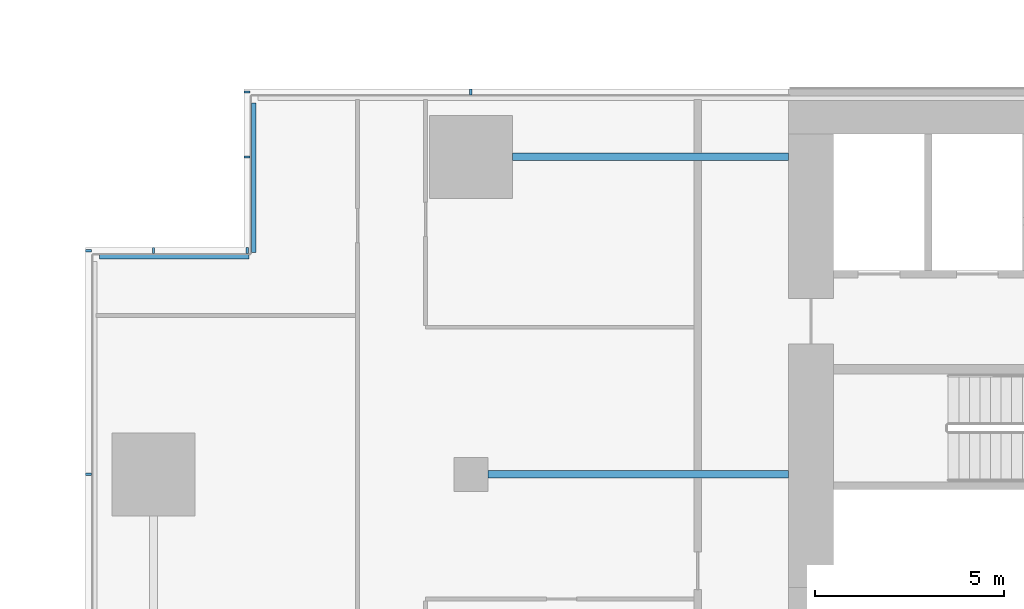
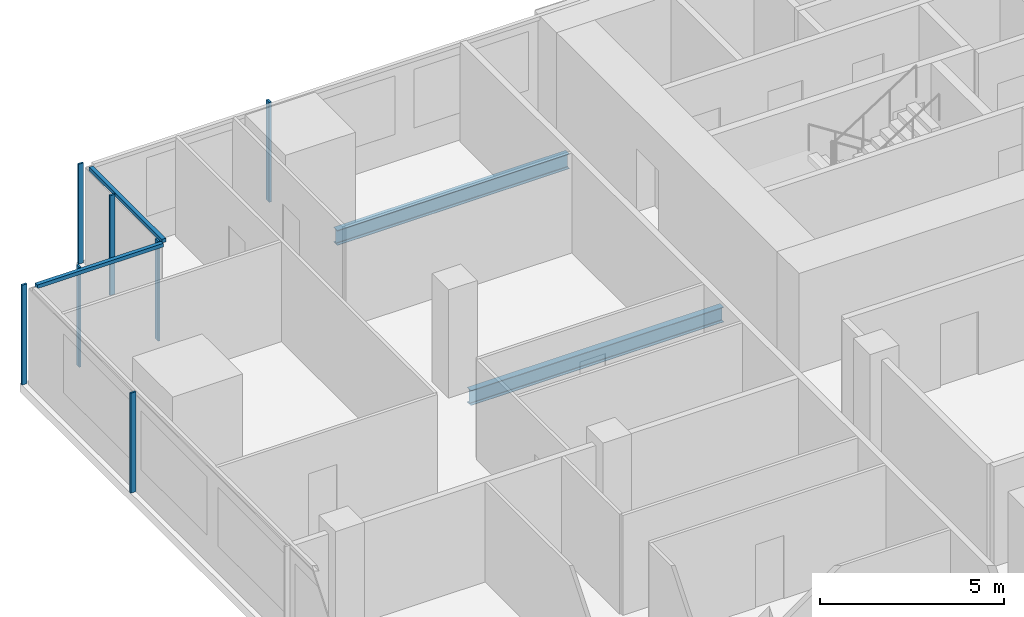
# One storey, part 8 of 29: 9 members, 2 beams, 4 elements without a shape of their own.
"""IFC4 building model written with IfcOpenShell, lengths in metres."""

from ifc_helpers import new_model, si_unit, direction, frame, origin, origin_2d, place, context, subcontext, project, spatial, rectangle, i_section, extrude, material, material_profile, profile_set, type_object, element, aggregate, save


model = new_model("IFC4")

# Units and contexts
model_context = context("Model", 3, precision=1e-05, world=origin(), true_north=direction((0.0, 1.0)))
body_context = subcontext(model_context, "Body", "Model", "MODEL_VIEW")
ifc_project = project(units=[si_unit("LENGTHUNIT", "METRE"), si_unit("AREAUNIT", "SQUARE_METRE"), si_unit("VOLUMEUNIT", "CUBIC_METRE"), si_unit("PLANEANGLEUNIT", "RADIAN"), si_unit("MASSUNIT", "GRAM", prefix="KILO")], contexts=[model_context])

# Site, building, storey
site_placement = place(None, origin())
site = spatial("IfcSite", under=ifc_project, at=site_placement, CompositionType="ELEMENT")
building_placement = place(site_placement, origin())
building = spatial("IfcBuilding", under=site, at=building_placement, Name="Saffron Gate Tower", CompositionType="ELEMENT")
storey_placement = place(building_placement, frame((0.0, 0.0, 58.800048828125)))
storey = spatial("IfcBuildingStorey", under=building, at=storey_placement, Name="L13", CompositionType="ELEMENT", Elevation=58.800048828125)

# Beams
ifc_material_1 = material(Name="Structural steel S355", Category="steel")
ifc_material_profile_1 = material_profile(ifc_material_1, i_section(OverallWidth=0.199951171875, OverallDepth=0.5, WebThickness=0.01025390625, FlangeThickness=0.01611328125, FilletRadius=0.02099609375, at=origin_2d()))
ifc_profile_set_1 = profile_set([ifc_material_profile_1], Name="Structural steel S355")
beam_type = type_object("IfcBeamType", Name="B10 IPE 500", PredefinedType="BEAM", material=ifc_profile_set_1)
beam_1_placement = place(storey_placement, frame((58.64990234375, 65.39990234375, -0.530029296875), z_axis=(1.0, 0.0, 0.0), x_axis=(0.0, 1.0, 0.0)))
element("IfcBeam", 1, at=beam_1_placement, inside=storey, type_object=beam_type, Name="B10 CORE TIE BEAM", PredefinedType="BEAM", context=body_context, shape_type="SweptSolid", body=[
    extrude(i_section(OverallWidth=0.199951171875, OverallDepth=0.5, WebThickness=0.01025390625, FlangeThickness=0.01611328125, FilletRadius=0.02099609375, at=origin_2d()), origin(), (0.0, 0.0, 1.0), 7.9501953125),
])
beam_2_placement = place(storey_placement, frame((59.300048828125, 73.800048828125, -0.530029296875), z_axis=(1.0, 0.0, 0.0), x_axis=(0.0, 1.0, 0.0)))
element("IfcBeam", 2, at=beam_2_placement, inside=storey, type_object=beam_type, Name="B10 CORE TIE BEAM", PredefinedType="BEAM", context=body_context, shape_type="SweptSolid", body=[
    extrude(i_section(OverallWidth=0.199951171875, OverallDepth=0.5, WebThickness=0.01025390625, FlangeThickness=0.01611328125, FilletRadius=0.02099609375, at=origin_2d()), origin(), (0.0, 0.0, 1.0), 7.300048828125),
])

# Curtain wall, members
ifc_material_2 = material(Name="Aluminium, bronze anodised", Category="aluminium")
curtain_wall_type_1 = type_object("IfcCurtainWallType", Name="CWS2 curtain wall side facades", PredefinedType="NOTDEFINED", material=ifc_material_2)
curtain_wall_1_placement = place(storey_placement, origin())
curtain_wall_1 = element("IfcCurtainWall", 3, at=curtain_wall_1_placement, inside=storey, type_object=curtain_wall_type_1, Name="CWS2 run 10", PredefinedType="NOTDEFINED")
ifc_material_profile_2 = material_profile(ifc_material_2, rectangle(XDim=0.159912109375, YDim=0.06005859375, at=origin_2d()))
ifc_profile_set_2 = profile_set([ifc_material_profile_2], Name="Aluminium, bronze anodised")
member_type_1 = type_object("IfcMemberType", Name="CWS2 mullion 60x160", PredefinedType="MULLION", material=ifc_profile_set_2)
member_1_placement = place(storey_placement, frame((48.080078125, 71.320068359375, 0.0), z_axis=(0.0, 0.0, 1.0), x_axis=(1.0, 0.0, 0.0)))
member_1 = element("IfcMember", 4, at=member_1_placement, type_object=member_type_1, Name="CWS2 mullion 1", PredefinedType="MULLION", context=body_context, shape_type="SweptSolid", body=[
    extrude(rectangle(XDim=0.159912109375, YDim=0.06005859375, at=origin_2d()), origin(), (0.0, 0.0, 1.0), 3.320068359375),
])
member_2_placement = place(storey_placement, frame((48.080078125, 65.39990234375, 0.0), z_axis=(0.0, 0.0, 1.0), x_axis=(1.0, 0.0, 0.0)))
member_2 = element("IfcMember", 5, at=member_2_placement, type_object=member_type_1, Name="CWS2 mullion 2", PredefinedType="MULLION", context=body_context, shape_type="SweptSolid", body=[
    extrude(rectangle(XDim=0.159912109375, YDim=0.06005859375, at=origin_2d()), origin(), (0.0, 0.0, 1.0), 3.320068359375),
])
aggregate(curtain_wall_1, [member_1, member_2])

# Curtain wall, member
curtain_wall_type_2 = type_object("IfcCurtainWallType", Name="CWS3 curtain wall rear facade", PredefinedType="NOTDEFINED", material=ifc_material_2)
curtain_wall_2_placement = place(storey_placement, origin())
curtain_wall_2 = element("IfcCurtainWall", 6, at=curtain_wall_2_placement, inside=storey, type_object=curtain_wall_type_2, Name="CWS3 run 7", PredefinedType="NOTDEFINED")
ifc_material_profile_3 = material_profile(ifc_material_2, rectangle(XDim=0.159912109375, YDim=0.070068359375, at=origin_2d()))
ifc_profile_set_3 = profile_set([ifc_material_profile_3], Name="Aluminium, bronze anodised")
member_type_2 = type_object("IfcMemberType", Name="CWS3 mullion 70x160", PredefinedType="MULLION", material=ifc_profile_set_3)
member_3_placement = place(storey_placement, frame((58.199951171875, 75.52001953125, 0.0), z_axis=(0.0, 0.0, 1.0), x_axis=(0.0, -1.0, 0.0)))
member_3 = element("IfcMember", 7, at=member_3_placement, type_object=member_type_2, Name="CWS3 mullion 9", PredefinedType="MULLION", context=body_context, shape_type="SweptSolid", body=[
    extrude(rectangle(XDim=0.159912109375, YDim=0.070068359375, at=origin_2d()), origin(), (0.0, 0.0, 1.0), 3.320068359375),
])
aggregate(curtain_wall_2, [member_3])

curtain_wall_type_3 = type_object("IfcCurtainWallType", Name="CWS4 curtain wall corner returns", PredefinedType="NOTDEFINED", material=ifc_material_2)
curtain_wall_3_placement = place(storey_placement, origin())
curtain_wall_3 = element("IfcCurtainWall", 8, at=curtain_wall_3_placement, inside=storey, type_object=curtain_wall_type_3, Name="CWS4 run 8", PredefinedType="NOTDEFINED")
ifc_material_profile_4 = material_profile(ifc_material_2, rectangle(XDim=0.1201171875, YDim=0.1201171875, at=origin_2d()))
ifc_profile_set_4 = profile_set([ifc_material_profile_4], Name="Aluminium, bronze anodised")
member_type_3 = type_object("IfcMemberType", Name="CWS4 head transom", PredefinedType="USERDEFINED", material=ifc_profile_set_4)
member_4_placement = place(storey_placement, frame((52.447998046875, 75.23193359375, 3.260009765625), z_axis=(0.0, -1.0, 0.0), x_axis=(1.0, 0.0, 0.0)))
member_4 = element("IfcMember", 9, at=member_4_placement, type_object=member_type_3, Name="CWS4 head transom", ObjectType="TRANSOM", PredefinedType="USERDEFINED", context=body_context, shape_type="SweptSolid", body=[
    extrude(rectangle(XDim=0.1201171875, YDim=0.1201171875, at=origin_2d()), origin(), (0.0, 0.0, 1.0), 3.9599609375),
])

curtain_wall_4_placement = place(storey_placement, origin())
curtain_wall_4 = element("IfcCurtainWall", 10, at=curtain_wall_4_placement, inside=storey, type_object=curtain_wall_type_3, Name="CWS4 run 9", PredefinedType="NOTDEFINED")
member_5_placement = place(storey_placement, frame((52.327880859375, 71.152099609375, 3.260009765625), z_axis=(-1.0, 0.0, 0.0), x_axis=(0.0, -1.0, 0.0)))
member_5 = element("IfcMember", 11, at=member_5_placement, type_object=member_type_3, Name="CWS4 head transom", ObjectType="TRANSOM", PredefinedType="USERDEFINED", context=body_context, shape_type="SweptSolid", body=[
    extrude(rectangle(XDim=0.1201171875, YDim=0.1201171875, at=origin_2d()), origin(), (0.0, 0.0, 1.0), 3.9599609375),
])

# Member
ifc_material_profile_5 = material_profile(ifc_material_2, rectangle(XDim=0.159912109375, YDim=0.06005859375, at=origin_2d()))
ifc_profile_set_5 = profile_set([ifc_material_profile_5], Name="Aluminium, bronze anodised")
member_type_4 = type_object("IfcMemberType", Name="CWS4 mullion 60x160", PredefinedType="MULLION", material=ifc_profile_set_5)
member_6_placement = place(storey_placement, frame((52.280029296875, 75.52001953125, 0.0), z_axis=(0.0, 0.0, 1.0), x_axis=(1.0, 0.0, 0.0)))
member_6 = element("IfcMember", 12, at=member_6_placement, type_object=member_type_4, Name="CWS4 mullion 1", PredefinedType="MULLION", context=body_context, shape_type="SweptSolid", body=[
    extrude(rectangle(XDim=0.159912109375, YDim=0.06005859375, at=origin_2d()), origin(), (0.0, 0.0, 1.0), 3.320068359375),
])

member_7_placement = place(storey_placement, frame((52.280029296875, 73.800048828125, 0.0), z_axis=(0.0, 0.0, 1.0), x_axis=(1.0, 0.0, 0.0)))
member_7 = element("IfcMember", 13, at=member_7_placement, type_object=member_type_4, Name="CWS4 mullion 2", PredefinedType="MULLION", context=body_context, shape_type="SweptSolid", body=[
    extrude(rectangle(XDim=0.159912109375, YDim=0.06005859375, at=origin_2d()), origin(), (0.0, 0.0, 1.0), 3.320068359375),
])

aggregate(curtain_wall_3, [member_6, member_7, member_4])

member_8_placement = place(storey_placement, frame((52.280029296875, 71.320068359375, 0.0), z_axis=(0.0, 0.0, 1.0), x_axis=(0.0, -1.0, 0.0)))
member_8 = element("IfcMember", 14, at=member_8_placement, type_object=member_type_4, Name="CWS4 mullion 1", PredefinedType="MULLION", context=body_context, shape_type="SweptSolid", body=[
    extrude(rectangle(XDim=0.159912109375, YDim=0.06005859375, at=origin_2d()), origin(), (0.0, 0.0, 1.0), 3.320068359375),
])

member_9_placement = place(storey_placement, frame((49.800048828125, 71.320068359375, 0.0), z_axis=(0.0, 0.0, 1.0), x_axis=(0.0, -1.0, 0.0)))
member_9 = element("IfcMember", 15, at=member_9_placement, type_object=member_type_4, Name="CWS4 mullion 2", PredefinedType="MULLION", context=body_context, shape_type="SweptSolid", body=[
    extrude(rectangle(XDim=0.159912109375, YDim=0.06005859375, at=origin_2d()), origin(), (0.0, 0.0, 1.0), 3.320068359375),
])

aggregate(curtain_wall_4, [member_8, member_9, member_5])

save(model, "model.ifc")
